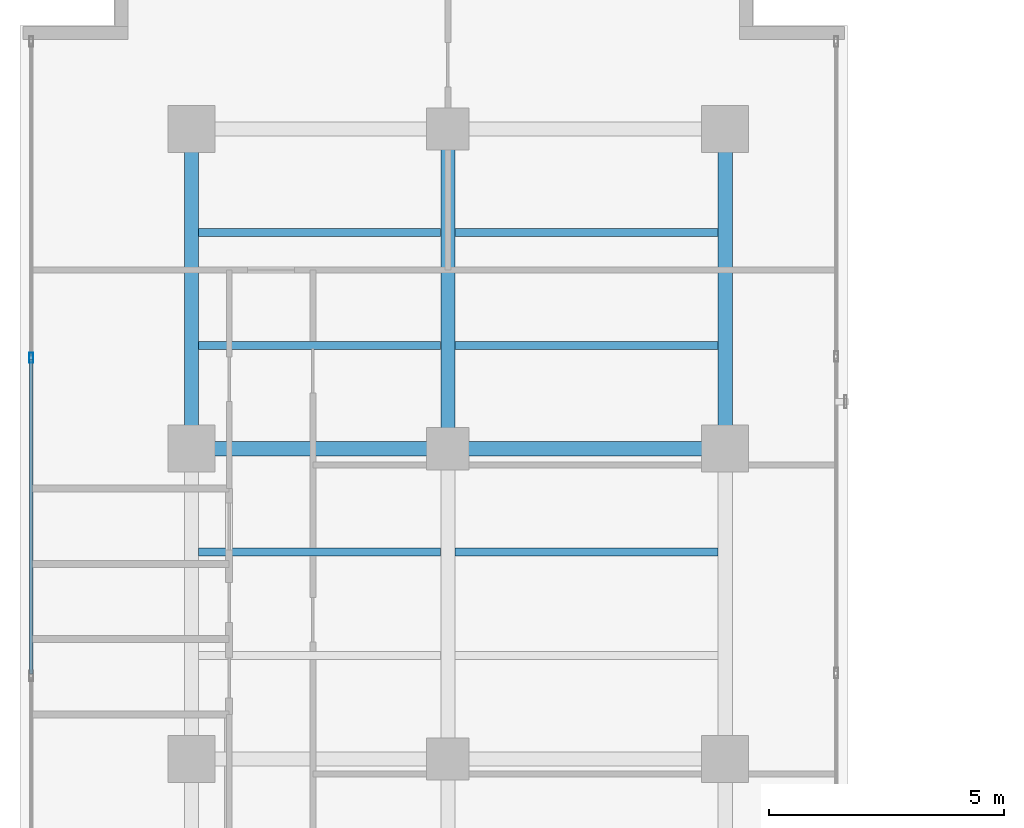
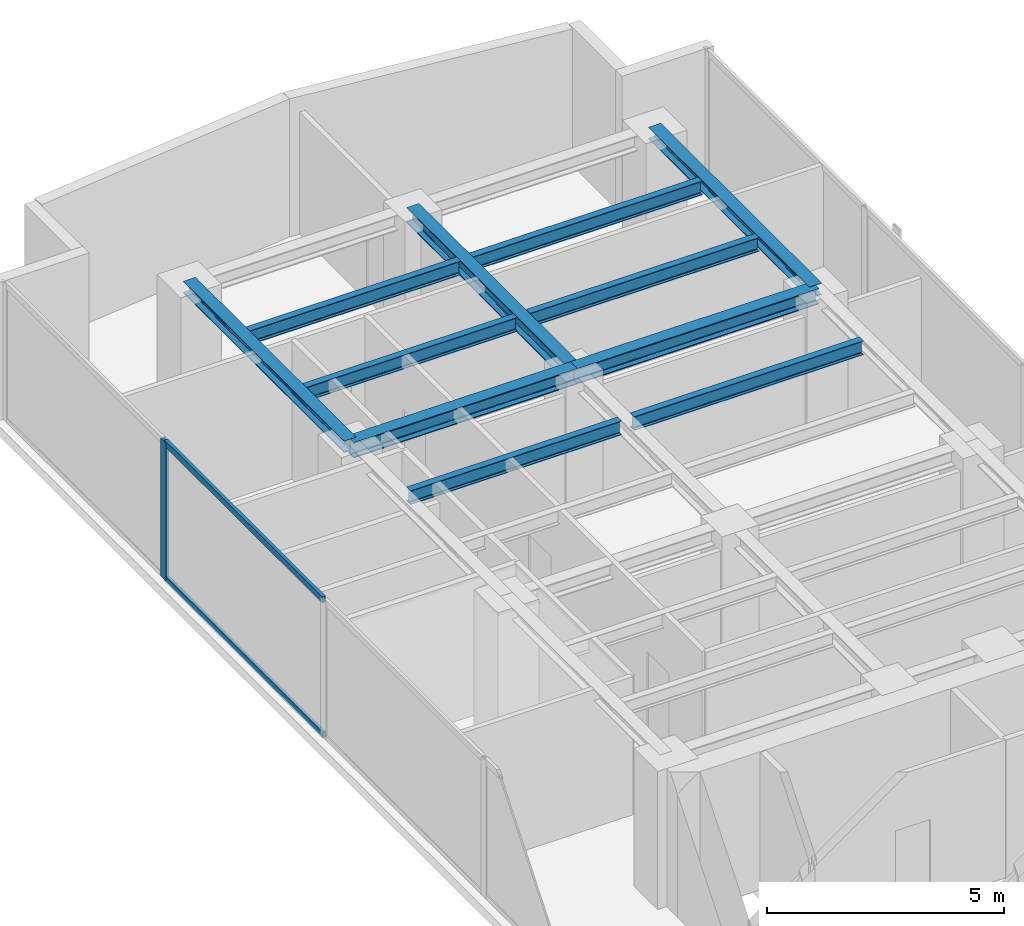
# One storey, part 13 of 23: 11 beams, 3 members, 1 element without a shape of its own.
"""IFC4 building model written with IfcOpenShell, lengths in metres."""

from ifc_helpers import new_model, si_unit, direction, frame, origin, origin_with_axes, origin_2d, place, context, subcontext, project, spatial, hollow_rectangle, i_section, extrude, source, transform, mapped, material, layer, layer_set, material_profile, profile_set, type_object, element, aggregate, save


model = new_model("IFC4")

# Units and contexts
model_context = context("Model", 3, precision=1e-05, world=origin(), true_north=direction((0.0, 1.0)))
body_context = subcontext(model_context, "Body", "Model", "MODEL_VIEW")
ifc_project = project(units=[si_unit("LENGTHUNIT", "METRE"), si_unit("AREAUNIT", "SQUARE_METRE"), si_unit("VOLUMEUNIT", "CUBIC_METRE"), si_unit("PLANEANGLEUNIT", "RADIAN"), si_unit("MASSUNIT", "GRAM", prefix="KILO")], contexts=[model_context])

# Site, building, storey
site_placement = place(None, origin())
site = spatial("IfcSite", under=ifc_project, at=site_placement, CompositionType="ELEMENT")
building_placement = place(site_placement, origin())
building = spatial("IfcBuilding", under=site, at=building_placement, Name="Kolvaren Waterfront Exchange", CompositionType="ELEMENT")
storey_placement = place(building_placement, frame((0.0, 0.0, 231.10009765625)))
storey = spatial("IfcBuildingStorey", under=building, at=storey_placement, Name="L59", CompositionType="ELEMENT", Elevation=231.10009765625)

# Beams
ifc_material_1 = material(Name="Steel S355", Category="steel")
ifc_material_profile_1 = material_profile(ifc_material_1, i_section(OverallWidth=0.300048828125, OverallDepth=0.300048828125, WebThickness=0.010986328125, FlangeThickness=0.01904296875, FilletRadius=0.027099609375, at=origin_2d()), Name="HEB300")
ifc_profile_set_1 = profile_set([ifc_material_profile_1], Name="Steel S355")
beam_type_1 = type_object("IfcBeamType", Name="STR-BM-HEB300", PredefinedType="SPANDREL", material=ifc_profile_set_1)
for number, where, z_axis, x_axis, name in (
    (1, (7.449951171875, 37.800048828125, 3.409912109375), (0.0, 1.0, 0.0), (-1.0, 0.0, 0.0), "L59 north-arm edge beam 3"),
    (2, (18.800048828125, 37.800048828125, 3.409912109375), (0.0, 1.0, 0.0), (-1.0, 0.0, 0.0), "L59 north-arm edge beam 3"),
):
    element("IfcBeam", number, at=place(storey_placement, frame(where, z_axis=z_axis, x_axis=x_axis)), inside=storey, type_object=beam_type_1, Name=name, PredefinedType="SPANDREL", context=body_context, shape_type="SweptSolid", body=[
        extrude(i_section(OverallWidth=0.300048828125, OverallDepth=0.300048828125, WebThickness=0.010986328125, FlangeThickness=0.01904296875, FilletRadius=0.027099609375, at=origin_2d()), origin(), (0.0, 0.0, 1.0), 6.800048828125),
    ])
ifc_material_profile_2 = material_profile(ifc_material_1, i_section(OverallWidth=0.300048828125, OverallDepth=0.39990234375, WebThickness=0.013427734375, FlangeThickness=0.02392578125, FilletRadius=0.027099609375, at=origin_2d()), Name="HEB400")
ifc_profile_set_2 = profile_set([ifc_material_profile_2], Name="Steel S355")
beam_type_2 = type_object("IfcBeamType", Name="STR-BM-HEB400", PredefinedType="BEAM", material=ifc_profile_set_2)
beam_1_placement = place(storey_placement, frame((7.449951171875, 37.800048828125, 3.35986328125), z_axis=(1.0, 0.0, 0.0), x_axis=(0.0, 1.0, 0.0)))
element("IfcBeam", 3, at=beam_1_placement, inside=storey, type_object=beam_type_2, Name="L59 north-arm girder 3A", PredefinedType="BEAM", context=body_context, shape_type="SweptSolid", body=[
    extrude(i_section(OverallWidth=0.300048828125, OverallDepth=0.39990234375, WebThickness=0.013427734375, FlangeThickness=0.02392578125, FilletRadius=0.027099609375, at=origin_2d()), origin(), (0.0, 0.0, 1.0), 5.449951171875),
])
beam_2_placement = place(storey_placement, frame((12.89990234375, 37.800048828125, 3.35986328125), z_axis=(1.0, 0.0, 0.0), x_axis=(0.0, 1.0, 0.0)))
element("IfcBeam", 4, at=beam_2_placement, inside=storey, type_object=beam_type_2, Name="L59 north-arm girder 3B", PredefinedType="BEAM", context=body_context, shape_type="SweptSolid", body=[
    extrude(i_section(OverallWidth=0.300048828125, OverallDepth=0.39990234375, WebThickness=0.013427734375, FlangeThickness=0.02392578125, FilletRadius=0.027099609375, at=origin_2d()), origin(), (0.0, 0.0, 1.0), 5.900146484375),
])
beam_3_placement = place(storey_placement, frame((12.89990234375, 37.800048828125, 3.35986328125), z_axis=(0.0, 1.0, 0.0), x_axis=(-1.0, 0.0, 0.0)))
element("IfcBeam", 5, at=beam_3_placement, inside=storey, type_object=beam_type_2, Name="L59 north-arm edge beam 3", PredefinedType="BEAM", context=body_context, shape_type="SweptSolid", body=[
    extrude(i_section(OverallWidth=0.300048828125, OverallDepth=0.39990234375, WebThickness=0.013427734375, FlangeThickness=0.02392578125, FilletRadius=0.027099609375, at=origin_2d()), origin(), (0.0, 0.0, 1.0), 6.800048828125),
])
ifc_material_profile_3 = material_profile(ifc_material_1, i_section(OverallWidth=0.169921875, OverallDepth=0.360107421875, WebThickness=0.008056640625, FlangeThickness=0.0126953125, FilletRadius=0.01806640625, at=origin_2d()), Name="IPE360")
ifc_profile_set_3 = profile_set([ifc_material_profile_3], Name="Steel S355")
beam_type_3 = type_object("IfcBeamType", Name="STR-BM-IPE360", PredefinedType="JOIST", material=ifc_profile_set_3)
beam_4_placement = place(storey_placement, frame((7.60205078125, 35.60009765625, 3.3798828125), z_axis=(1.0, 0.0, 0.0), x_axis=(0.0, 1.0, 0.0)))
element("IfcBeam", 6, at=beam_4_placement, inside=storey, type_object=beam_type_3, Name="L59 north-arm composite joist 4A", PredefinedType="JOIST", context=body_context, shape_type="SweptSolid", body=[
    extrude(i_section(OverallWidth=0.169921875, OverallDepth=0.360107421875, WebThickness=0.008056640625, FlangeThickness=0.0126953125, FilletRadius=0.01806640625, at=origin_2d()), origin(), (0.0, 0.0, 1.0), 5.14599609375),
])
beam_5_placement = place(storey_placement, frame((13.052001953125, 35.60009765625, 3.3798828125), z_axis=(1.0, 0.0, 0.0), x_axis=(0.0, 1.0, 0.0)))
element("IfcBeam", 7, at=beam_5_placement, inside=storey, type_object=beam_type_3, Name="L59 north-arm composite joist 4B", PredefinedType="JOIST", context=body_context, shape_type="SweptSolid", body=[
    extrude(i_section(OverallWidth=0.169921875, OverallDepth=0.360107421875, WebThickness=0.008056640625, FlangeThickness=0.0126953125, FilletRadius=0.01806640625, at=origin_2d()), origin(), (0.0, 0.0, 1.0), 5.595947265625),
])
beam_6_placement = place(storey_placement, frame((7.60205078125, 40.0, 3.3798828125), z_axis=(1.0, 0.0, 0.0), x_axis=(0.0, 1.0, 0.0)))
element("IfcBeam", 8, at=beam_6_placement, inside=storey, type_object=beam_type_3, Name="L59 north-arm composite joist 5A", PredefinedType="JOIST", context=body_context, shape_type="SweptSolid", body=[
    extrude(i_section(OverallWidth=0.169921875, OverallDepth=0.360107421875, WebThickness=0.008056640625, FlangeThickness=0.0126953125, FilletRadius=0.01806640625, at=origin_2d()), origin(), (0.0, 0.0, 1.0), 5.14599609375),
])
beam_7_placement = place(storey_placement, frame((13.052001953125, 40.0, 3.3798828125), z_axis=(1.0, 0.0, 0.0), x_axis=(0.0, 1.0, 0.0)))
element("IfcBeam", 9, at=beam_7_placement, inside=storey, type_object=beam_type_3, Name="L59 north-arm composite joist 5B", PredefinedType="JOIST", context=body_context, shape_type="SweptSolid", body=[
    extrude(i_section(OverallWidth=0.169921875, OverallDepth=0.360107421875, WebThickness=0.008056640625, FlangeThickness=0.0126953125, FilletRadius=0.01806640625, at=origin_2d()), origin(), (0.0, 0.0, 1.0), 5.595947265625),
])
beam_8_placement = place(storey_placement, frame((7.60205078125, 42.39990234375, 3.3798828125), z_axis=(1.0, 0.0, 0.0), x_axis=(0.0, 1.0, 0.0)))
element("IfcBeam", 10, at=beam_8_placement, inside=storey, type_object=beam_type_3, Name="L59 north-arm composite joist 6A", PredefinedType="JOIST", context=body_context, shape_type="SweptSolid", body=[
    extrude(i_section(OverallWidth=0.169921875, OverallDepth=0.360107421875, WebThickness=0.008056640625, FlangeThickness=0.0126953125, FilletRadius=0.01806640625, at=origin_2d()), origin(), (0.0, 0.0, 1.0), 5.14599609375),
])
beam_9_placement = place(storey_placement, frame((13.052001953125, 42.39990234375, 3.3798828125), z_axis=(1.0, 0.0, 0.0), x_axis=(0.0, 1.0, 0.0)))
element("IfcBeam", 11, at=beam_9_placement, inside=storey, type_object=beam_type_3, Name="L59 north-arm composite joist 6B", PredefinedType="JOIST", context=body_context, shape_type="SweptSolid", body=[
    extrude(i_section(OverallWidth=0.169921875, OverallDepth=0.360107421875, WebThickness=0.008056640625, FlangeThickness=0.0126953125, FilletRadius=0.01806640625, at=origin_2d()), origin(), (0.0, 0.0, 1.0), 5.595947265625),
])

# Curtain wall, members
ifc_material_2 = material(Name="Anodised aluminium 6063-T6", Category="aluminium")
ifc_layer = layer(ifc_material_2, 0.219970703125, Name="Anodised aluminium 6063-T6")
ifc_layer_set = layer_set([ifc_layer], Name="Anodised aluminium 6063-T6")
curtain_wall_type = type_object("IfcCurtainWallType", Name="ARC-CW-SYS2", PredefinedType="USERDEFINED", material=ifc_layer_set)
curtain_wall_placement = place(storey_placement, origin())
curtain_wall = element("IfcCurtainWall", 12, at=curtain_wall_placement, inside=storey, type_object=curtain_wall_type, Name="L59 stick curtain wall CW2 (CW-L59-W)", ObjectType="STICK CURTAIN WALL", PredefinedType="USERDEFINED")
ifc_material_profile_4 = material_profile(ifc_material_2, hollow_rectangle(XDim=0.074951171875, YDim=0.159912109375, WallThickness=0.00439453125, at=origin_2d()), Name="ALU-TRN-160x75x4.5")
ifc_profile_set_4 = profile_set([ifc_material_profile_4], Name="Anodised aluminium 6063-T6")
member_type_1 = type_object("IfcMemberType", Name="ARC-CWT-160", PredefinedType="USERDEFINED", material=ifc_profile_set_4)
shared_shape_1 = source(origin_with_axes(), body_context, "Body", "SweptSolid", [
    extrude(hollow_rectangle(XDim=0.074951171875, YDim=0.159912109375, WallThickness=0.00439453125, at=origin_2d()), origin(), (0.0, 0.0, 1.0), 6.686767578125),
])
member_1_placement = place(storey_placement, frame((4.0400390625, 33.006591796875, 0.037353515625), z_axis=(0.0, 1.0, 0.0), x_axis=(-1.0, 0.0, 0.0)))
member_1 = element("IfcMember", 13, at=member_1_placement, type_object=member_type_1, Name="CW2 transom 5.1", ObjectType="TRANSOM", PredefinedType="USERDEFINED", context=body_context, shape_type="MappedRepresentation", body=[
    mapped(shared_shape_1, transform((0.0, 0.0, 0.0), x_axis=(1.0, 0.0, 0.0), y_axis=(0.0, 1.0, 0.0), z_axis=(0.0, 0.0, 1.0), scale=1.0)),
])
member_2_placement = place(storey_placement, frame((4.0400390625, 33.006591796875, 3.5224609375), z_axis=(0.0, 1.0, 0.0), x_axis=(-1.0, 0.0, 0.0)))
member_2 = element("IfcMember", 14, at=member_2_placement, type_object=member_type_1, Name="CW2 transom 5.2", ObjectType="TRANSOM", PredefinedType="USERDEFINED", context=body_context, shape_type="MappedRepresentation", body=[
    mapped(shared_shape_1, transform((0.0, 0.0, 0.0), x_axis=(1.0, 0.0, 0.0), y_axis=(0.0, 1.0, 0.0), z_axis=(0.0, 0.0, 1.0), scale=1.0)),
])
ifc_material_profile_5 = material_profile(ifc_material_2, hollow_rectangle(XDim=0.080078125, YDim=0.219970703125, WallThickness=0.0048828125, at=origin_2d()), Name="ALU-MUL-220x80x5")
ifc_profile_set_5 = profile_set([ifc_material_profile_5], Name="Anodised aluminium 6063-T6")
member_type_2 = type_object("IfcMemberType", Name="ARC-CWM-220", PredefinedType="MULLION", material=ifc_profile_set_5)
shared_shape_2 = source(origin_with_axes(), body_context, "Body", "SweptSolid", [
    extrude(hollow_rectangle(XDim=0.080078125, YDim=0.219970703125, WallThickness=0.0048828125, at=origin_2d()), origin(), (0.0, 0.0, 1.0), 3.559814453125),
])
member_3_placement = place(storey_placement, frame((4.0400390625, 39.7333984375, 0.0), z_axis=(0.0, 0.0, 1.0), x_axis=(-1.0, 0.0, 0.0)))
member_3 = element("IfcMember", 15, at=member_3_placement, type_object=member_type_2, Name="CW2 mullion 6", PredefinedType="MULLION", context=body_context, shape_type="MappedRepresentation", body=[
    mapped(shared_shape_2, transform((0.0, 0.0, 0.0), x_axis=(1.0, 0.0, 0.0), y_axis=(0.0, 1.0, 0.0), z_axis=(0.0, 0.0, 1.0), scale=1.0)),
])
aggregate(curtain_wall, [member_3, member_1, member_2])

save(model, "model.ifc")
